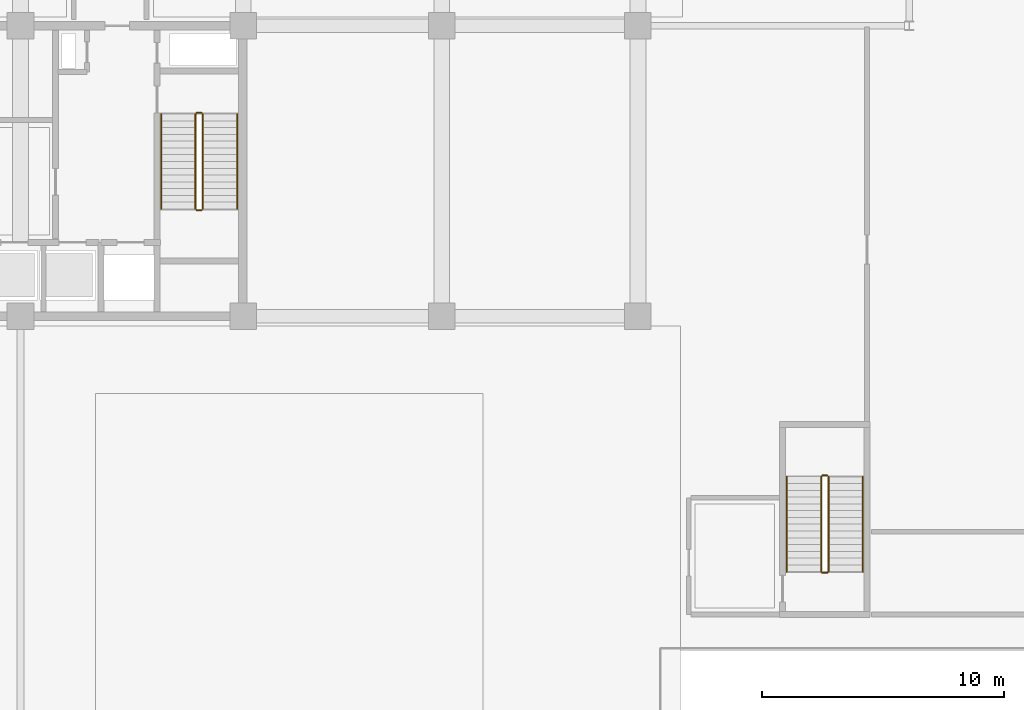
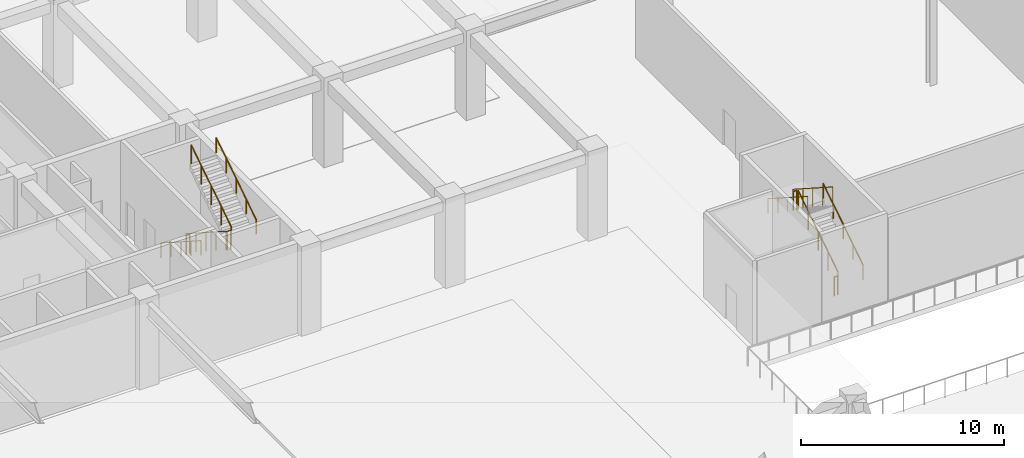
# One storey, part 43 of 46: 12 railings.
"""IFC4 building model written with IfcOpenShell, lengths in metres."""

from ifc_helpers import new_model, si_unit, direction, frame, origin, origin_2d, place, context, subcontext, project, spatial, circle, extrude, material, type_object, element, save


model = new_model("IFC4")

# Units and contexts
model_context = context("Model", 3, precision=1e-05, world=origin(), true_north=direction((0.0, 1.0)))
body_context = subcontext(model_context, "Body", "Model", "MODEL_VIEW")
ifc_project = project(units=[si_unit("LENGTHUNIT", "METRE"), si_unit("AREAUNIT", "SQUARE_METRE"), si_unit("VOLUMEUNIT", "CUBIC_METRE"), si_unit("PLANEANGLEUNIT", "RADIAN"), si_unit("MASSUNIT", "GRAM", prefix="KILO")], contexts=[model_context])

# Site, building, storey
site_placement = place(None, origin())
site = spatial("IfcSite", under=ifc_project, at=site_placement, CompositionType="ELEMENT")
building_placement = place(site_placement, origin())
building = spatial("IfcBuilding", under=site, at=building_placement, Name="Korimba Cascade Residences", CompositionType="ELEMENT")
storey_placement = place(building_placement, origin())
storey = spatial("IfcBuildingStorey", under=building, at=storey_placement, Name="L00", CompositionType="ELEMENT", Elevation=0.0)

# Railings
ifc_material_1 = material(Name="Painted Steel Stairwell Guardrail", Category="steel")
railing_type_1 = type_object("IfcRailingType", Name="RLG-ST-GD1150", PredefinedType="GUARDRAIL", material=ifc_material_1)
railing_1_placement = place(storey_placement, frame((110.1298828125, 63.550048828125, 0.179931640625)))
element("IfcRailing", 1, at=railing_1_placement, inside=storey, type_object=railing_type_1, Name="L00 ST-W2 stair guard 1", PredefinedType="GUARDRAIL", context=body_context, shape_type="SweptSolid", body=[
    extrude(circle(Radius=0.02392578125, at=origin_2d()), frame((0.0, 0.0, 1.1259765625), z_axis=(0.0, -0.841186985886, 0.540744352514), x_axis=(1.0, 0.0, 0.0)), (0.0, 0.0, 1.0), 4.660400390625),
    extrude(circle(Radius=0.02099609375, at=origin_2d()), origin(), (0.0, 0.0, 1.0), 1.101806640625),
    extrude(circle(Radius=0.02099609375, at=origin_2d()), frame((0.0, -0.97998046875, 0.6298828125)), (0.0, 0.0, 1.0), 1.101806640625),
    extrude(circle(Radius=0.02099609375, at=origin_2d()), frame((0.0, -1.9599609375, 1.260009765625)), (0.0, 0.0, 1.0), 1.101806640625),
    extrude(circle(Radius=0.02099609375, at=origin_2d()), frame((0.0, -2.940185546875, 1.89013671875)), (0.0, 0.0, 1.0), 1.101806640625),
    extrude(circle(Radius=0.02099609375, at=origin_2d()), frame((0.0, -3.920166015625, 2.52001953125)), (0.0, 0.0, 1.0), 1.101806640625),
])
railing_2_placement = place(storey_placement, frame((110.179931640625, 59.580078125, 2.699951171875)))
element("IfcRailing", 2, at=railing_2_placement, inside=storey, type_object=railing_type_1, Name="L00 ST-W2 stair guard 2", PredefinedType="GUARDRAIL", context=body_context, shape_type="SweptSolid", body=[
    extrude(circle(Radius=0.02392578125, at=origin_2d()), frame((0.0, 0.0, 1.1259765625), z_axis=(1.0, 0.0, 0.0), x_axis=(0.0, 1.0, 0.0)), (0.0, 0.0, 1.0), 0.199951171875),
    extrude(circle(Radius=0.02099609375, at=origin_2d()), origin(), (0.0, 0.0, 1.0), 1.101806640625),
    extrude(circle(Radius=0.02099609375, at=origin_2d()), frame((0.199951171875, 0.0, 0.0)), (0.0, 0.0, 1.0), 1.101806640625),
])
railing_3_placement = place(storey_placement, frame((110.429931640625, 59.6298828125, 2.8798828125)))
element("IfcRailing", 3, at=railing_3_placement, inside=storey, type_object=railing_type_1, Name="L00 ST-W2 stair guard 3", PredefinedType="GUARDRAIL", context=body_context, shape_type="SweptSolid", body=[
    extrude(circle(Radius=0.02392578125, at=origin_2d()), frame((0.0, 0.0, 1.1259765625), z_axis=(0.0, 0.841186985886, 0.540744352514), x_axis=(-1.0, 0.0, 0.0)), (0.0, 0.0, 1.0), 4.660400390625),
    extrude(circle(Radius=0.02099609375, at=origin_2d()), origin(), (0.0, 0.0, 1.0), 1.101806640625),
    extrude(circle(Radius=0.02099609375, at=origin_2d()), frame((0.0, 0.97998046875, 0.6298828125)), (0.0, 0.0, 1.0), 1.101806640625),
    extrude(circle(Radius=0.02099609375, at=origin_2d()), frame((0.0, 1.9599609375, 1.260009765625)), (0.0, 0.0, 1.0), 1.101806640625),
    extrude(circle(Radius=0.02099609375, at=origin_2d()), frame((0.0, 2.940185546875, 1.89013671875)), (0.0, 0.0, 1.0), 1.101806640625),
    extrude(circle(Radius=0.02099609375, at=origin_2d()), frame((0.0, 3.920166015625, 2.52001953125)), (0.0, 0.0, 1.0), 1.101806640625),
])
railing_4_placement = place(storey_placement, frame((110.179931640625, 63.60009765625, 0.0)))
element("IfcRailing", 4, at=railing_4_placement, inside=storey, type_object=railing_type_1, Name="L00 ST-W2 stair guard 4", PredefinedType="GUARDRAIL", context=body_context, shape_type="SweptSolid", body=[
    extrude(circle(Radius=0.02392578125, at=origin_2d()), frame((0.0, 0.0, 1.1259765625), z_axis=(1.0, 0.0, 0.0), x_axis=(0.0, 1.0, 0.0)), (0.0, 0.0, 1.0), 0.199951171875),
    extrude(circle(Radius=0.02099609375, at=origin_2d()), origin(), (0.0, 0.0, 1.0), 1.101806640625),
    extrude(circle(Radius=0.02099609375, at=origin_2d()), frame((0.199951171875, 0.0, 0.0)), (0.0, 0.0, 1.0), 1.101806640625),
])
railing_5_placement = place(storey_placement, frame((136.27001953125, 44.64990234375, 0.179931640625)))
element("IfcRailing", 5, at=railing_5_placement, inside=storey, type_object=railing_type_1, Name="L00 ST-P2 stair guard 1", PredefinedType="GUARDRAIL", context=body_context, shape_type="SweptSolid", body=[
    extrude(circle(Radius=0.02392578125, at=origin_2d()), frame((0.0, 0.0, 1.1259765625), z_axis=(0.0, 0.841186985886, 0.540744352514), x_axis=(-1.0, 0.0, 0.0)), (0.0, 0.0, 1.0), 4.660400390625),
    extrude(circle(Radius=0.02099609375, at=origin_2d()), origin(), (0.0, 0.0, 1.0), 1.101806640625),
    extrude(circle(Radius=0.02099609375, at=origin_2d()), frame((0.0, 0.97998046875, 0.6298828125)), (0.0, 0.0, 1.0), 1.101806640625),
    extrude(circle(Radius=0.02099609375, at=origin_2d()), frame((0.0, 1.9599609375, 1.260009765625)), (0.0, 0.0, 1.0), 1.101806640625),
    extrude(circle(Radius=0.02099609375, at=origin_2d()), frame((0.0, 2.940185546875, 1.89013671875)), (0.0, 0.0, 1.0), 1.101806640625),
    extrude(circle(Radius=0.02099609375, at=origin_2d()), frame((0.0, 3.920166015625, 2.52001953125)), (0.0, 0.0, 1.0), 1.101806640625),
])
railing_6_placement = place(storey_placement, frame((136.219970703125, 48.6201171875, 2.699951171875)))
element("IfcRailing", 6, at=railing_6_placement, inside=storey, type_object=railing_type_1, Name="L00 ST-P2 stair guard 2", PredefinedType="GUARDRAIL", context=body_context, shape_type="SweptSolid", body=[
    extrude(circle(Radius=0.02392578125, at=origin_2d()), frame((0.0, 0.0, 1.1259765625), z_axis=(-1.0, 0.0, 0.0), x_axis=(0.0, -1.0, 0.0)), (0.0, 0.0, 1.0), 0.199951171875),
    extrude(circle(Radius=0.02099609375, at=origin_2d()), origin(), (0.0, 0.0, 1.0), 1.101806640625),
    extrude(circle(Radius=0.02099609375, at=origin_2d()), frame((-0.199951171875, 0.0, 0.0)), (0.0, 0.0, 1.0), 1.101806640625),
])
railing_7_placement = place(storey_placement, frame((135.969970703125, 48.570068359375, 2.8798828125)))
element("IfcRailing", 7, at=railing_7_placement, inside=storey, type_object=railing_type_1, Name="L00 ST-P2 stair guard 3", PredefinedType="GUARDRAIL", context=body_context, shape_type="SweptSolid", body=[
    extrude(circle(Radius=0.02392578125, at=origin_2d()), frame((0.0, 0.0, 1.1259765625), z_axis=(0.0, -0.841186985886, 0.540744352514), x_axis=(1.0, 0.0, 0.0)), (0.0, 0.0, 1.0), 4.660400390625),
    extrude(circle(Radius=0.02099609375, at=origin_2d()), origin(), (0.0, 0.0, 1.0), 1.101806640625),
    extrude(circle(Radius=0.02099609375, at=origin_2d()), frame((0.0, -0.97998046875, 0.6298828125)), (0.0, 0.0, 1.0), 1.101806640625),
    extrude(circle(Radius=0.02099609375, at=origin_2d()), frame((0.0, -1.9599609375, 1.260009765625)), (0.0, 0.0, 1.0), 1.101806640625),
    extrude(circle(Radius=0.02099609375, at=origin_2d()), frame((0.0, -2.940185546875, 1.89013671875)), (0.0, 0.0, 1.0), 1.101806640625),
    extrude(circle(Radius=0.02099609375, at=origin_2d()), frame((0.0, -3.920166015625, 2.52001953125)), (0.0, 0.0, 1.0), 1.101806640625),
])
railing_8_placement = place(storey_placement, frame((136.219970703125, 44.60009765625, 0.0)))
element("IfcRailing", 8, at=railing_8_placement, inside=storey, type_object=railing_type_1, Name="L00 ST-P2 stair guard 4", PredefinedType="GUARDRAIL", context=body_context, shape_type="SweptSolid", body=[
    extrude(circle(Radius=0.02392578125, at=origin_2d()), frame((0.0, 0.0, 1.1259765625), z_axis=(-1.0, 0.0, 0.0), x_axis=(0.0, -1.0, 0.0)), (0.0, 0.0, 1.0), 0.199951171875),
    extrude(circle(Radius=0.02099609375, at=origin_2d()), origin(), (0.0, 0.0, 1.0), 1.101806640625),
    extrude(circle(Radius=0.02099609375, at=origin_2d()), frame((-0.199951171875, 0.0, 0.0)), (0.0, 0.0, 1.0), 1.101806640625),
])
ifc_material_2 = material(Name="Brushed Stainless Steel Handrail", Category="steel")
railing_type_2 = type_object("IfcRailingType", Name="RLG-ST-HR900", PredefinedType="HANDRAIL", material=ifc_material_2)
railing_9_placement = place(storey_placement, frame((108.7099609375, 63.550048828125, 0.36376953125)))
element("IfcRailing", 9, at=railing_9_placement, inside=storey, type_object=railing_type_2, Name="L00 ST-W2 stair handrail 1", PredefinedType="HANDRAIL", context=body_context, shape_type="SweptSolid", body=[
    extrude(circle(Radius=0.02392578125, at=origin_2d()), frame((0.0, 0.0, 0.8759765625), z_axis=(0.0, -0.841186985886, 0.540744352514), x_axis=(1.0, 0.0, 0.0)), (0.0, 0.0, 1.0), 4.660400390625),
    extrude(circle(Radius=0.02099609375, at=origin_2d()), origin(), (0.0, 0.0, 1.0), 0.851806640625),
    extrude(circle(Radius=0.02099609375, at=origin_2d()), frame((0.0, -0.97998046875, 0.6298828125)), (0.0, 0.0, 1.0), 0.851806640625),
    extrude(circle(Radius=0.02099609375, at=origin_2d()), frame((0.0, -1.9599609375, 1.260009765625)), (0.0, 0.0, 1.0), 0.851806640625),
    extrude(circle(Radius=0.02099609375, at=origin_2d()), frame((0.0, -2.940185546875, 1.89013671875)), (0.0, 0.0, 1.0), 0.851806640625),
    extrude(circle(Radius=0.02099609375, at=origin_2d()), frame((0.0, -3.920166015625, 2.52001953125)), (0.0, 0.0, 1.0), 0.851806640625),
])
for number, where, name in (
    (10, (111.85009765625, 59.6298828125, 3.063720703125), "L00 ST-W2 stair handrail 2"),
    (11, (137.68994140625, 44.64990234375, 0.36376953125), "L00 ST-P2 stair handrail 1"),
):
    element("IfcRailing", number, at=place(storey_placement, frame(where)), inside=storey, type_object=railing_type_2, Name=name, PredefinedType="HANDRAIL", context=body_context, shape_type="SweptSolid", body=[
        extrude(circle(Radius=0.02392578125, at=origin_2d()), frame((0.0, 0.0, 0.8759765625), z_axis=(0.0, 0.841186985886, 0.540744352514), x_axis=(-1.0, 0.0, 0.0)), (0.0, 0.0, 1.0), 4.660400390625),
        extrude(circle(Radius=0.02099609375, at=origin_2d()), origin(), (0.0, 0.0, 1.0), 0.851806640625),
        extrude(circle(Radius=0.02099609375, at=origin_2d()), frame((0.0, 0.97998046875, 0.6298828125)), (0.0, 0.0, 1.0), 0.851806640625),
        extrude(circle(Radius=0.02099609375, at=origin_2d()), frame((0.0, 1.9599609375, 1.260009765625)), (0.0, 0.0, 1.0), 0.851806640625),
        extrude(circle(Radius=0.02099609375, at=origin_2d()), frame((0.0, 2.940185546875, 1.89013671875)), (0.0, 0.0, 1.0), 0.851806640625),
        extrude(circle(Radius=0.02099609375, at=origin_2d()), frame((0.0, 3.920166015625, 2.52001953125)), (0.0, 0.0, 1.0), 0.851806640625),
    ])
railing_10_placement = place(storey_placement, frame((134.550048828125, 48.570068359375, 3.063720703125)))
element("IfcRailing", 12, at=railing_10_placement, inside=storey, type_object=railing_type_2, Name="L00 ST-P2 stair handrail 2", PredefinedType="HANDRAIL", context=body_context, shape_type="SweptSolid", body=[
    extrude(circle(Radius=0.02392578125, at=origin_2d()), frame((0.0, 0.0, 0.8759765625), z_axis=(0.0, -0.841186985886, 0.540744352514), x_axis=(1.0, 0.0, 0.0)), (0.0, 0.0, 1.0), 4.660400390625),
    extrude(circle(Radius=0.02099609375, at=origin_2d()), origin(), (0.0, 0.0, 1.0), 0.851806640625),
    extrude(circle(Radius=0.02099609375, at=origin_2d()), frame((0.0, -0.97998046875, 0.6298828125)), (0.0, 0.0, 1.0), 0.851806640625),
    extrude(circle(Radius=0.02099609375, at=origin_2d()), frame((0.0, -1.9599609375, 1.260009765625)), (0.0, 0.0, 1.0), 0.851806640625),
    extrude(circle(Radius=0.02099609375, at=origin_2d()), frame((0.0, -2.940185546875, 1.89013671875)), (0.0, 0.0, 1.0), 0.851806640625),
    extrude(circle(Radius=0.02099609375, at=origin_2d()), frame((0.0, -3.920166015625, 2.52001953125)), (0.0, 0.0, 1.0), 0.851806640625),
])

save(model, "model.ifc")
